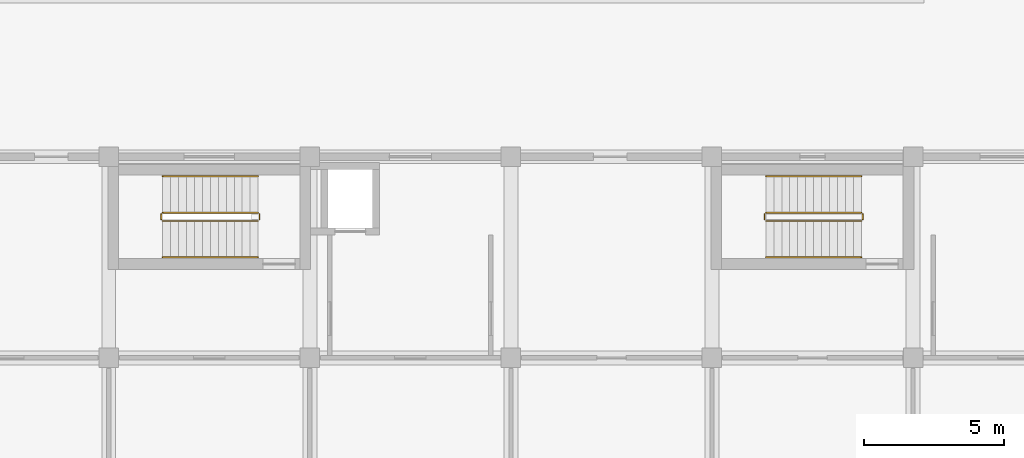
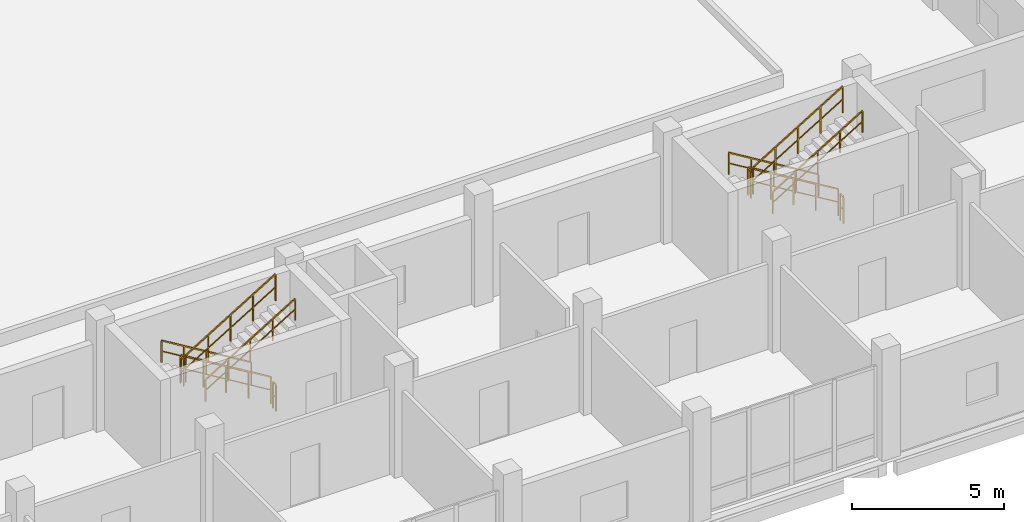
# One storey, part 135 of 139: 12 railings.
"""IFC4 building model written with IfcOpenShell, lengths in metres."""

from ifc_helpers import new_model, si_unit, direction, frame, origin, origin_2d, place, context, subcontext, project, spatial, rectangle, extrude, material, type_object, element, save


model = new_model("IFC4")

# Units and contexts
model_context = context("Model", 3, precision=1e-05, world=origin(), true_north=direction((0.0, 1.0)))
body_context = subcontext(model_context, "Body", "Model", "MODEL_VIEW")
ifc_project = project(units=[si_unit("LENGTHUNIT", "METRE"), si_unit("AREAUNIT", "SQUARE_METRE"), si_unit("VOLUMEUNIT", "CUBIC_METRE"), si_unit("PLANEANGLEUNIT", "RADIAN"), si_unit("MASSUNIT", "GRAM", prefix="KILO")], contexts=[model_context])

# Site, building, storey
site_placement = place(None, origin())
site = spatial("IfcSite", under=ifc_project, at=site_placement, CompositionType="ELEMENT")
building_placement = place(site_placement, origin())
building = spatial("IfcBuilding", under=site, at=building_placement, Name="Suanplinth Sawtooth Commons", CompositionType="ELEMENT")
storey_placement = place(building_placement, origin())
storey = spatial("IfcBuildingStorey", under=building, at=storey_placement, Name="L00", CompositionType="ELEMENT", Elevation=0.0)

# Railings
ifc_material = material(Name="Stainless steel Grade 304", Category="steel")
railing_type_1 = type_object("IfcRailingType", Name="GR-04", PredefinedType="GUARDRAIL", material=ifc_material)
railing_1_placement = place(storey_placement, frame((142.14990234375, 12.39990234375, 0.173095703125)))
element("IfcRailing", 1, at=railing_1_placement, inside=storey, type_object=railing_type_1, Name="L00 ST-S1 Guard 1", PredefinedType="GUARDRAIL", context=body_context, shape_type="SweptSolid", body=[
    extrude(rectangle(XDim=0.048095703125, YDim=0.048095703125, at=origin_2d()), frame((0.0, 0.0, 1.076171875), z_axis=(-0.854729506542, 0.0, 0.519073665916), x_axis=(0.0, -1.0, 0.0)), (0.0, 0.0, 1.0), 4.001220703125),
    extrude(rectangle(XDim=0.03369140625, YDim=0.03369140625, at=origin_2d()), frame((0.0, 0.0, 0.550048828125), z_axis=(-0.854729506542, 0.0, 0.519073665916), x_axis=(0.0, -1.0, 0.0)), (0.0, 0.0, 1.0), 4.001220703125),
    extrude(rectangle(XDim=0.0419921875, YDim=0.0419921875, at=origin_2d()), origin(), (0.0, 0.0, 1.0), 1.052001953125),
    extrude(rectangle(XDim=0.0419921875, YDim=0.0419921875, at=origin_2d()), frame((-0.85498046875, 0.0, 0.519287109375)), (0.0, 0.0, 1.0), 1.052001953125),
    extrude(rectangle(XDim=0.0419921875, YDim=0.0419921875, at=origin_2d()), frame((-1.7099609375, 0.0, 1.03857421875)), (0.0, 0.0, 1.0), 1.052001953125),
    extrude(rectangle(XDim=0.0419921875, YDim=0.0419921875, at=origin_2d()), frame((-2.56494140625, 0.0, 1.5576171875)), (0.0, 0.0, 1.0), 1.052001953125),
    extrude(rectangle(XDim=0.0419921875, YDim=0.0419921875, at=origin_2d()), frame((-3.419921875, 0.0, 2.076904296875)), (0.0, 0.0, 1.0), 1.052001953125),
])
railing_2_placement = place(storey_placement, frame((138.679931640625, 12.35009765625, 2.25)))
element("IfcRailing", 2, at=railing_2_placement, inside=storey, type_object=railing_type_1, Name="L00 ST-S1 Guard 2", PredefinedType="GUARDRAIL", context=body_context, shape_type="SweptSolid", body=[
    extrude(rectangle(XDim=0.048095703125, YDim=0.048095703125, at=origin_2d()), frame((0.0, 0.0, 1.076171875), z_axis=(0.0, -1.0, 0.0), x_axis=(1.0, 0.0, 0.0)), (0.0, 0.0, 1.0), 0.2001953125),
    extrude(rectangle(XDim=0.03369140625, YDim=0.03369140625, at=origin_2d()), frame((0.0, 0.0, 0.550048828125), z_axis=(0.0, -1.0, 0.0), x_axis=(1.0, 0.0, 0.0)), (0.0, 0.0, 1.0), 0.2001953125),
    extrude(rectangle(XDim=0.0419921875, YDim=0.0419921875, at=origin_2d()), origin(), (0.0, 0.0, 1.0), 1.052001953125),
    extrude(rectangle(XDim=0.0419921875, YDim=0.0419921875, at=origin_2d()), frame((0.0, -0.2001953125, 0.0)), (0.0, 0.0, 1.0), 1.052001953125),
])
railing_3_placement = place(storey_placement, frame((138.72998046875, 12.10009765625, 2.423095703125)))
element("IfcRailing", 3, at=railing_3_placement, inside=storey, type_object=railing_type_1, Name="L00 ST-S1 Guard 3", PredefinedType="GUARDRAIL", context=body_context, shape_type="SweptSolid", body=[
    extrude(rectangle(XDim=0.048095703125, YDim=0.048095703125, at=origin_2d()), frame((0.0, 0.0, 1.076171875), z_axis=(0.854729506542, 0.0, 0.519073665916), x_axis=(0.0, 1.0, 0.0)), (0.0, 0.0, 1.0), 4.001220703125),
    extrude(rectangle(XDim=0.03369140625, YDim=0.03369140625, at=origin_2d()), frame((0.0, 0.0, 0.550048828125), z_axis=(0.854729506542, 0.0, 0.519073665916), x_axis=(0.0, 1.0, 0.0)), (0.0, 0.0, 1.0), 4.001220703125),
    extrude(rectangle(XDim=0.0419921875, YDim=0.0419921875, at=origin_2d()), origin(), (0.0, 0.0, 1.0), 1.052001953125),
    extrude(rectangle(XDim=0.0419921875, YDim=0.0419921875, at=origin_2d()), frame((0.85498046875, 0.0, 0.519287109375)), (0.0, 0.0, 1.0), 1.052001953125),
    extrude(rectangle(XDim=0.0419921875, YDim=0.0419921875, at=origin_2d()), frame((1.7099609375, 0.0, 1.03857421875)), (0.0, 0.0, 1.0), 1.052001953125),
    extrude(rectangle(XDim=0.0419921875, YDim=0.0419921875, at=origin_2d()), frame((2.56494140625, 0.0, 1.5576171875)), (0.0, 0.0, 1.0), 1.052001953125),
    extrude(rectangle(XDim=0.0419921875, YDim=0.0419921875, at=origin_2d()), frame((3.419921875, 0.0, 2.076904296875)), (0.0, 0.0, 1.0), 1.052001953125),
])
railing_4_placement = place(storey_placement, frame((142.199951171875, 12.35009765625, 0.0)))
element("IfcRailing", 4, at=railing_4_placement, inside=storey, type_object=railing_type_1, Name="L00 ST-S1 Guard 4", PredefinedType="GUARDRAIL", context=body_context, shape_type="SweptSolid", body=[
    extrude(rectangle(XDim=0.048095703125, YDim=0.048095703125, at=origin_2d()), frame((0.0, 0.0, 1.076171875), z_axis=(0.0, -1.0, 0.0), x_axis=(1.0, 0.0, 0.0)), (0.0, 0.0, 1.0), 0.2001953125),
    extrude(rectangle(XDim=0.03369140625, YDim=0.03369140625, at=origin_2d()), frame((0.0, 0.0, 0.550048828125), z_axis=(0.0, -1.0, 0.0), x_axis=(1.0, 0.0, 0.0)), (0.0, 0.0, 1.0), 0.2001953125),
    extrude(rectangle(XDim=0.0419921875, YDim=0.0419921875, at=origin_2d()), origin(), (0.0, 0.0, 1.0), 1.052001953125),
    extrude(rectangle(XDim=0.0419921875, YDim=0.0419921875, at=origin_2d()), frame((0.0, -0.2001953125, 0.0)), (0.0, 0.0, 1.0), 1.052001953125),
])
railing_5_placement = place(storey_placement, frame((163.75, 12.39990234375, 0.173095703125)))
element("IfcRailing", 5, at=railing_5_placement, inside=storey, type_object=railing_type_1, Name="L00 ST-S2 Guard 1", PredefinedType="GUARDRAIL", context=body_context, shape_type="SweptSolid", body=[
    extrude(rectangle(XDim=0.048095703125, YDim=0.048095703125, at=origin_2d()), frame((0.0, 0.0, 1.076171875), z_axis=(-0.854729506542, 0.0, 0.519073665916), x_axis=(0.0, -1.0, 0.0)), (0.0, 0.0, 1.0), 4.001220703125),
    extrude(rectangle(XDim=0.03369140625, YDim=0.03369140625, at=origin_2d()), frame((0.0, 0.0, 0.550048828125), z_axis=(-0.854729506542, 0.0, 0.519073665916), x_axis=(0.0, -1.0, 0.0)), (0.0, 0.0, 1.0), 4.001220703125),
    extrude(rectangle(XDim=0.0419921875, YDim=0.0419921875, at=origin_2d()), origin(), (0.0, 0.0, 1.0), 1.052001953125),
    extrude(rectangle(XDim=0.0419921875, YDim=0.0419921875, at=origin_2d()), frame((-0.85498046875, 0.0, 0.519287109375)), (0.0, 0.0, 1.0), 1.052001953125),
    extrude(rectangle(XDim=0.0419921875, YDim=0.0419921875, at=origin_2d()), frame((-1.7099609375, 0.0, 1.03857421875)), (0.0, 0.0, 1.0), 1.052001953125),
    extrude(rectangle(XDim=0.0419921875, YDim=0.0419921875, at=origin_2d()), frame((-2.56494140625, 0.0, 1.5576171875)), (0.0, 0.0, 1.0), 1.052001953125),
    extrude(rectangle(XDim=0.0419921875, YDim=0.0419921875, at=origin_2d()), frame((-3.419921875, 0.0, 2.076904296875)), (0.0, 0.0, 1.0), 1.052001953125),
])
railing_6_placement = place(storey_placement, frame((160.280029296875, 12.35009765625, 2.25)))
element("IfcRailing", 6, at=railing_6_placement, inside=storey, type_object=railing_type_1, Name="L00 ST-S2 Guard 2", PredefinedType="GUARDRAIL", context=body_context, shape_type="SweptSolid", body=[
    extrude(rectangle(XDim=0.048095703125, YDim=0.048095703125, at=origin_2d()), frame((0.0, 0.0, 1.076171875), z_axis=(0.0, -1.0, 0.0), x_axis=(1.0, 0.0, 0.0)), (0.0, 0.0, 1.0), 0.2001953125),
    extrude(rectangle(XDim=0.03369140625, YDim=0.03369140625, at=origin_2d()), frame((0.0, 0.0, 0.550048828125), z_axis=(0.0, -1.0, 0.0), x_axis=(1.0, 0.0, 0.0)), (0.0, 0.0, 1.0), 0.2001953125),
    extrude(rectangle(XDim=0.0419921875, YDim=0.0419921875, at=origin_2d()), origin(), (0.0, 0.0, 1.0), 1.052001953125),
    extrude(rectangle(XDim=0.0419921875, YDim=0.0419921875, at=origin_2d()), frame((0.0, -0.2001953125, 0.0)), (0.0, 0.0, 1.0), 1.052001953125),
])
railing_7_placement = place(storey_placement, frame((160.330078125, 12.10009765625, 2.423095703125)))
element("IfcRailing", 7, at=railing_7_placement, inside=storey, type_object=railing_type_1, Name="L00 ST-S2 Guard 3", PredefinedType="GUARDRAIL", context=body_context, shape_type="SweptSolid", body=[
    extrude(rectangle(XDim=0.048095703125, YDim=0.048095703125, at=origin_2d()), frame((0.0, 0.0, 1.076171875), z_axis=(0.854729506542, 0.0, 0.519073665916), x_axis=(0.0, 1.0, 0.0)), (0.0, 0.0, 1.0), 4.001220703125),
    extrude(rectangle(XDim=0.03369140625, YDim=0.03369140625, at=origin_2d()), frame((0.0, 0.0, 0.550048828125), z_axis=(0.854729506542, 0.0, 0.519073665916), x_axis=(0.0, 1.0, 0.0)), (0.0, 0.0, 1.0), 4.001220703125),
    extrude(rectangle(XDim=0.0419921875, YDim=0.0419921875, at=origin_2d()), origin(), (0.0, 0.0, 1.0), 1.052001953125),
    extrude(rectangle(XDim=0.0419921875, YDim=0.0419921875, at=origin_2d()), frame((0.85498046875, 0.0, 0.519287109375)), (0.0, 0.0, 1.0), 1.052001953125),
    extrude(rectangle(XDim=0.0419921875, YDim=0.0419921875, at=origin_2d()), frame((1.7099609375, 0.0, 1.03857421875)), (0.0, 0.0, 1.0), 1.052001953125),
    extrude(rectangle(XDim=0.0419921875, YDim=0.0419921875, at=origin_2d()), frame((2.56494140625, 0.0, 1.5576171875)), (0.0, 0.0, 1.0), 1.052001953125),
    extrude(rectangle(XDim=0.0419921875, YDim=0.0419921875, at=origin_2d()), frame((3.419921875, 0.0, 2.076904296875)), (0.0, 0.0, 1.0), 1.052001953125),
])
railing_8_placement = place(storey_placement, frame((163.800048828125, 12.35009765625, 0.0)))
element("IfcRailing", 8, at=railing_8_placement, inside=storey, type_object=railing_type_1, Name="L00 ST-S2 Guard 4", PredefinedType="GUARDRAIL", context=body_context, shape_type="SweptSolid", body=[
    extrude(rectangle(XDim=0.048095703125, YDim=0.048095703125, at=origin_2d()), frame((0.0, 0.0, 1.076171875), z_axis=(0.0, -1.0, 0.0), x_axis=(1.0, 0.0, 0.0)), (0.0, 0.0, 1.0), 0.2001953125),
    extrude(rectangle(XDim=0.03369140625, YDim=0.03369140625, at=origin_2d()), frame((0.0, 0.0, 0.550048828125), z_axis=(0.0, -1.0, 0.0), x_axis=(1.0, 0.0, 0.0)), (0.0, 0.0, 1.0), 0.2001953125),
    extrude(rectangle(XDim=0.0419921875, YDim=0.0419921875, at=origin_2d()), origin(), (0.0, 0.0, 1.0), 1.052001953125),
    extrude(rectangle(XDim=0.0419921875, YDim=0.0419921875, at=origin_2d()), frame((0.0, -0.2001953125, 0.0)), (0.0, 0.0, 1.0), 1.052001953125),
])
railing_type_2 = type_object("IfcRailingType", Name="HR-01", PredefinedType="HANDRAIL", material=ifc_material)
railing_9_placement = place(storey_placement, frame((142.14990234375, 13.699951171875, 0.173095703125)))
element("IfcRailing", 9, at=railing_9_placement, inside=storey, type_object=railing_type_2, Name="L00 ST-S1 Handrail 1", PredefinedType="HANDRAIL", context=body_context, shape_type="SweptSolid", body=[
    extrude(rectangle(XDim=0.048095703125, YDim=0.048095703125, at=origin_2d()), frame((0.0, 0.0, 0.8759765625), z_axis=(-0.854729506542, 0.0, 0.519073665916), x_axis=(0.0, -1.0, 0.0)), (0.0, 0.0, 1.0), 4.001220703125),
    extrude(rectangle(XDim=0.03369140625, YDim=0.03369140625, at=origin_2d()), frame((0.0, 0.0, 0.449951171875), z_axis=(-0.854729506542, 0.0, 0.519073665916), x_axis=(0.0, -1.0, 0.0)), (0.0, 0.0, 1.0), 4.001220703125),
    extrude(rectangle(XDim=0.0419921875, YDim=0.0419921875, at=origin_2d()), origin(), (0.0, 0.0, 1.0), 0.851806640625),
    extrude(rectangle(XDim=0.0419921875, YDim=0.0419921875, at=origin_2d()), frame((-0.85498046875, 0.0, 0.519287109375)), (0.0, 0.0, 1.0), 0.851806640625),
    extrude(rectangle(XDim=0.0419921875, YDim=0.0419921875, at=origin_2d()), frame((-1.7099609375, 0.0, 1.03857421875)), (0.0, 0.0, 1.0), 0.851806640625),
    extrude(rectangle(XDim=0.0419921875, YDim=0.0419921875, at=origin_2d()), frame((-2.56494140625, 0.0, 1.5576171875)), (0.0, 0.0, 1.0), 0.851806640625),
    extrude(rectangle(XDim=0.0419921875, YDim=0.0419921875, at=origin_2d()), frame((-3.419921875, 0.0, 2.076904296875)), (0.0, 0.0, 1.0), 0.851806640625),
])
railing_10_placement = place(storey_placement, frame((138.72998046875, 10.800048828125, 2.423095703125)))
element("IfcRailing", 10, at=railing_10_placement, inside=storey, type_object=railing_type_2, Name="L00 ST-S1 Handrail 2", PredefinedType="HANDRAIL", context=body_context, shape_type="SweptSolid", body=[
    extrude(rectangle(XDim=0.048095703125, YDim=0.048095703125, at=origin_2d()), frame((0.0, 0.0, 0.8759765625), z_axis=(0.854729506542, 0.0, 0.519073665916), x_axis=(0.0, 1.0, 0.0)), (0.0, 0.0, 1.0), 4.001220703125),
    extrude(rectangle(XDim=0.03369140625, YDim=0.03369140625, at=origin_2d()), frame((0.0, 0.0, 0.449951171875), z_axis=(0.854729506542, 0.0, 0.519073665916), x_axis=(0.0, 1.0, 0.0)), (0.0, 0.0, 1.0), 4.001220703125),
    extrude(rectangle(XDim=0.0419921875, YDim=0.0419921875, at=origin_2d()), origin(), (0.0, 0.0, 1.0), 0.851806640625),
    extrude(rectangle(XDim=0.0419921875, YDim=0.0419921875, at=origin_2d()), frame((0.85498046875, 0.0, 0.519287109375)), (0.0, 0.0, 1.0), 0.851806640625),
    extrude(rectangle(XDim=0.0419921875, YDim=0.0419921875, at=origin_2d()), frame((1.7099609375, 0.0, 1.03857421875)), (0.0, 0.0, 1.0), 0.851806640625),
    extrude(rectangle(XDim=0.0419921875, YDim=0.0419921875, at=origin_2d()), frame((2.56494140625, 0.0, 1.5576171875)), (0.0, 0.0, 1.0), 0.851806640625),
    extrude(rectangle(XDim=0.0419921875, YDim=0.0419921875, at=origin_2d()), frame((3.419921875, 0.0, 2.076904296875)), (0.0, 0.0, 1.0), 0.851806640625),
])
railing_11_placement = place(storey_placement, frame((163.75, 13.699951171875, 0.173095703125)))
element("IfcRailing", 11, at=railing_11_placement, inside=storey, type_object=railing_type_2, Name="L00 ST-S2 Handrail 1", PredefinedType="HANDRAIL", context=body_context, shape_type="SweptSolid", body=[
    extrude(rectangle(XDim=0.048095703125, YDim=0.048095703125, at=origin_2d()), frame((0.0, 0.0, 0.8759765625), z_axis=(-0.854729506542, 0.0, 0.519073665916), x_axis=(0.0, -1.0, 0.0)), (0.0, 0.0, 1.0), 4.001220703125),
    extrude(rectangle(XDim=0.03369140625, YDim=0.03369140625, at=origin_2d()), frame((0.0, 0.0, 0.449951171875), z_axis=(-0.854729506542, 0.0, 0.519073665916), x_axis=(0.0, -1.0, 0.0)), (0.0, 0.0, 1.0), 4.001220703125),
    extrude(rectangle(XDim=0.0419921875, YDim=0.0419921875, at=origin_2d()), origin(), (0.0, 0.0, 1.0), 0.851806640625),
    extrude(rectangle(XDim=0.0419921875, YDim=0.0419921875, at=origin_2d()), frame((-0.85498046875, 0.0, 0.519287109375)), (0.0, 0.0, 1.0), 0.851806640625),
    extrude(rectangle(XDim=0.0419921875, YDim=0.0419921875, at=origin_2d()), frame((-1.7099609375, 0.0, 1.03857421875)), (0.0, 0.0, 1.0), 0.851806640625),
    extrude(rectangle(XDim=0.0419921875, YDim=0.0419921875, at=origin_2d()), frame((-2.56494140625, 0.0, 1.5576171875)), (0.0, 0.0, 1.0), 0.851806640625),
    extrude(rectangle(XDim=0.0419921875, YDim=0.0419921875, at=origin_2d()), frame((-3.419921875, 0.0, 2.076904296875)), (0.0, 0.0, 1.0), 0.851806640625),
])
railing_12_placement = place(storey_placement, frame((160.330078125, 10.800048828125, 2.423095703125)))
element("IfcRailing", 12, at=railing_12_placement, inside=storey, type_object=railing_type_2, Name="L00 ST-S2 Handrail 2", PredefinedType="HANDRAIL", context=body_context, shape_type="SweptSolid", body=[
    extrude(rectangle(XDim=0.048095703125, YDim=0.048095703125, at=origin_2d()), frame((0.0, 0.0, 0.8759765625), z_axis=(0.854729506542, 0.0, 0.519073665916), x_axis=(0.0, 1.0, 0.0)), (0.0, 0.0, 1.0), 4.001220703125),
    extrude(rectangle(XDim=0.03369140625, YDim=0.03369140625, at=origin_2d()), frame((0.0, 0.0, 0.449951171875), z_axis=(0.854729506542, 0.0, 0.519073665916), x_axis=(0.0, 1.0, 0.0)), (0.0, 0.0, 1.0), 4.001220703125),
    extrude(rectangle(XDim=0.0419921875, YDim=0.0419921875, at=origin_2d()), origin(), (0.0, 0.0, 1.0), 0.851806640625),
    extrude(rectangle(XDim=0.0419921875, YDim=0.0419921875, at=origin_2d()), frame((0.85498046875, 0.0, 0.519287109375)), (0.0, 0.0, 1.0), 0.851806640625),
    extrude(rectangle(XDim=0.0419921875, YDim=0.0419921875, at=origin_2d()), frame((1.7099609375, 0.0, 1.03857421875)), (0.0, 0.0, 1.0), 0.851806640625),
    extrude(rectangle(XDim=0.0419921875, YDim=0.0419921875, at=origin_2d()), frame((2.56494140625, 0.0, 1.5576171875)), (0.0, 0.0, 1.0), 0.851806640625),
    extrude(rectangle(XDim=0.0419921875, YDim=0.0419921875, at=origin_2d()), frame((3.419921875, 0.0, 2.076904296875)), (0.0, 0.0, 1.0), 0.851806640625),
])

save(model, "model.ifc")
